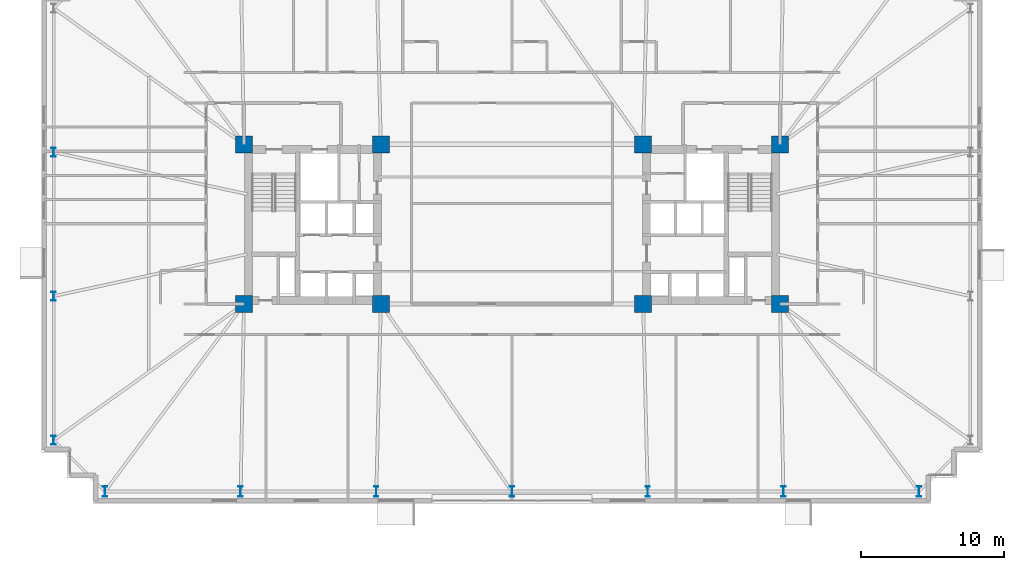
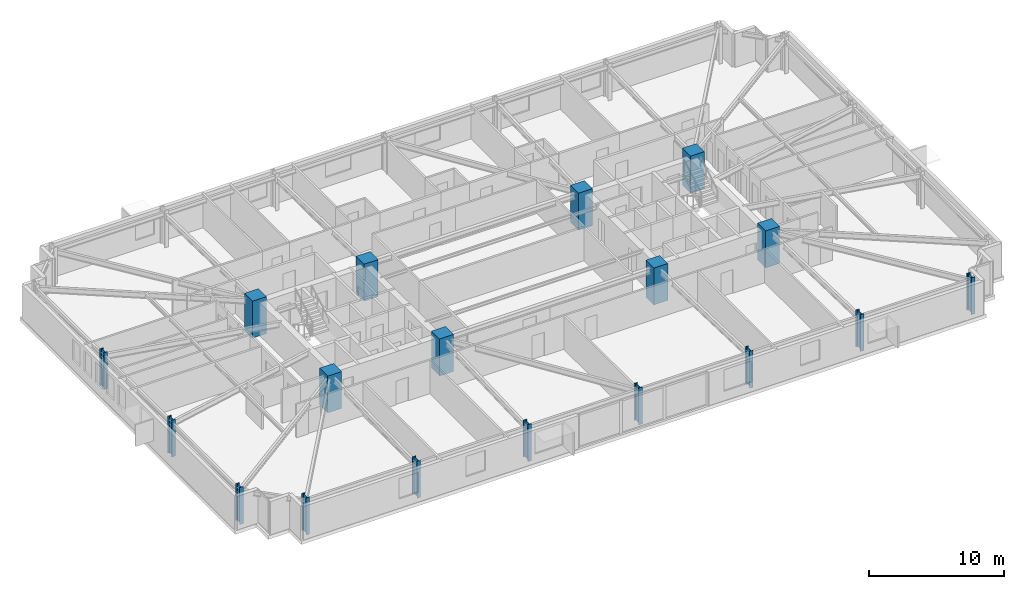
# One storey, part 1 of 24: 18 columns.
"""IFC4 building model written with IfcOpenShell, lengths in metres."""

from ifc_helpers import new_model, si_unit, direction, frame, origin, origin_2d, place, context, subcontext, project, spatial, rectangle, i_section, extrude, material, material_profile, profile_set, type_object, element, save


model = new_model("IFC4")

# Units and contexts
model_context = context("Model", 3, precision=1e-05, world=origin(), true_north=direction((0.0, 1.0)))
body_context = subcontext(model_context, "Body", "Model", "MODEL_VIEW")
ifc_project = project(units=[si_unit("LENGTHUNIT", "METRE"), si_unit("AREAUNIT", "SQUARE_METRE"), si_unit("VOLUMEUNIT", "CUBIC_METRE"), si_unit("PLANEANGLEUNIT", "RADIAN"), si_unit("MASSUNIT", "GRAM", prefix="KILO")], contexts=[model_context])

# Site, building, storey
site_placement = place(None, origin())
site = spatial("IfcSite", under=ifc_project, at=site_placement, CompositionType="ELEMENT")
building_placement = place(site_placement, origin())
building = spatial("IfcBuilding", under=site, at=building_placement, Name="Qobustan Lattice House", CompositionType="ELEMENT")
storey_placement = place(building_placement, frame((0.0, 0.0, 50.449951171875)))
storey = spatial("IfcBuildingStorey", under=building, at=storey_placement, Name="L13", CompositionType="ELEMENT", Elevation=50.449951171875)

# Columns
ifc_material_1 = material(Name="Concrete C60/75", Category="concrete")
ifc_material_profile_1 = material_profile(ifc_material_1, rectangle(XDim=1.199951171875, YDim=1.199951171875, at=origin_2d()), Name="RC1200x1200")
ifc_profile_set_1 = profile_set([ifc_material_profile_1], Name="Concrete C60/75")
column_type_1 = type_object("IfcColumnType", Name="COL-RC-1200", PredefinedType="COLUMN", material=ifc_profile_set_1)
for number, where, z_axis, x_axis, name in (
    (1, (-18.800048828125, -5.60009765625, 0.0), (0.0, 0.0, 1.0), (1.0, 0.0, 0.0), "L13 core mega-column CW-SW"),
    (2, (-18.800048828125, 5.60009765625, 0.0), (0.0, 0.0, 1.0), (1.0, 0.0, 0.0), "L13 core mega-column CW-NW"),
    (3, (-9.199951171875, -5.60009765625, 0.0), (0.0, 0.0, 1.0), (1.0, 0.0, 0.0), "L13 core mega-column CW-SE"),
    (4, (-9.199951171875, 5.60009765625, 0.0), (0.0, 0.0, 1.0), (1.0, 0.0, 0.0), "L13 core mega-column CW-NE"),
    (5, (9.199951171875, -5.60009765625, 0.0), (0.0, 0.0, 1.0), (1.0, 0.0, 0.0), "L13 core mega-column CE-SW"),
    (6, (9.199951171875, 5.60009765625, 0.0), (0.0, 0.0, 1.0), (1.0, 0.0, 0.0), "L13 core mega-column CE-NW"),
    (7, (18.800048828125, -5.60009765625, 0.0), (0.0, 0.0, 1.0), (1.0, 0.0, 0.0), "L13 core mega-column CE-SE"),
    (8, (18.800048828125, 5.60009765625, 0.0), (0.0, 0.0, 1.0), (1.0, 0.0, 0.0), "L13 core mega-column CE-NE"),
):
    element("IfcColumn", number, at=place(storey_placement, frame(where, z_axis=z_axis, x_axis=x_axis)), inside=storey, type_object=column_type_1, Name=name, PredefinedType="COLUMN", context=body_context, shape_type="SweptSolid", body=[
        extrude(rectangle(XDim=1.199951171875, YDim=1.199951171875, at=origin_2d()), origin(), (0.0, 0.0, 1.0), 3.35009765625),
    ])
ifc_material_2 = material(Name="Steel S460", Category="steel")
ifc_material_profile_2 = material_profile(ifc_material_2, i_section(OverallWidth=0.304931640625, OverallDepth=0.6201171875, WebThickness=0.02099609375, FlangeThickness=0.0400390625, FilletRadius=0.027099609375, at=origin_2d()), Name="HEM600")
ifc_profile_set_2 = profile_set([ifc_material_profile_2], Name="Steel S460")
column_type_2 = type_object("IfcColumnType", Name="COL-ST-HEM600", PredefinedType="COLUMN", material=ifc_profile_set_2)
for number, where, z_axis, x_axis, name in (
    (9, (-32.14990234375, 5.050048828125, 0.0), (0.0, 0.0, 1.0), (1.0, 0.0, 0.0), "L13 B1 perimeter column W2"),
    (10, (-32.14990234375, -5.050048828125, 0.0), (0.0, 0.0, 1.0), (1.0, 0.0, 0.0), "L13 B1 perimeter column W3"),
    (11, (-32.14990234375, -15.14990234375, 0.0), (0.0, 0.0, 1.0), (1.0, 0.0, 0.0), "L13 B1 perimeter column W4"),
):
    element("IfcColumn", number, at=place(storey_placement, frame(where, z_axis=z_axis, x_axis=x_axis)), inside=storey, type_object=column_type_2, Name=name, PredefinedType="COLUMN", context=body_context, shape_type="SweptSolid", body=[
        extrude(i_section(OverallWidth=0.304931640625, OverallDepth=0.6201171875, WebThickness=0.02099609375, FlangeThickness=0.0400390625, FilletRadius=0.027099609375, at=origin_2d()), origin(), (0.0, 0.0, 1.0), 3.35009765625),
    ])
ifc_material_3 = material(Name="Steel S460", Category="steel")
ifc_material_profile_3 = material_profile(ifc_material_3, i_section(OverallWidth=0.303955078125, OverallDepth=0.716064453125, WebThickness=0.02099609375, FlangeThickness=0.0400390625, FilletRadius=0.027099609375, at=origin_2d()), Name="HEM700")
ifc_profile_set_3 = profile_set([ifc_material_profile_3], Name="Steel S460")
column_type_3 = type_object("IfcColumnType", Name="COL-ST-HEM700", PredefinedType="COLUMN", material=ifc_profile_set_3)
for number, where, z_axis, x_axis, name in (
    (12, (-28.550048828125, -18.75, 0.0), (0.0, 0.0, 1.0), (1.0, 0.0, 0.0), "L13 B1 perimeter column S1"),
    (13, (-19.033203125, -18.75, 0.0), (0.0, 0.0, 1.0), (1.0, 0.0, 0.0), "L13 B1 perimeter column S2"),
    (14, (-9.5166015625, -18.75, 0.0), (0.0, 0.0, 1.0), (1.0, 0.0, 0.0), "L13 B1 perimeter column S3"),
    (15, (0.0, -18.75, 0.0), (0.0, 0.0, 1.0), (1.0, 0.0, 0.0), "L13 B1 perimeter column S4"),
    (16, (9.5166015625, -18.75, 0.0), (0.0, 0.0, 1.0), (1.0, 0.0, 0.0), "L13 B1 perimeter column S5"),
    (17, (19.033203125, -18.75, 0.0), (0.0, 0.0, 1.0), (1.0, 0.0, 0.0), "L13 B1 perimeter column S6"),
    (18, (28.550048828125, -18.75, 0.0), (0.0, 0.0, 1.0), (1.0, 0.0, 0.0), "L13 B1 perimeter column S7"),
):
    element("IfcColumn", number, at=place(storey_placement, frame(where, z_axis=z_axis, x_axis=x_axis)), inside=storey, type_object=column_type_3, Name=name, PredefinedType="COLUMN", context=body_context, shape_type="SweptSolid", body=[
        extrude(i_section(OverallWidth=0.303955078125, OverallDepth=0.716064453125, WebThickness=0.02099609375, FlangeThickness=0.0400390625, FilletRadius=0.027099609375, at=origin_2d()), origin(), (0.0, 0.0, 1.0), 3.35009765625),
    ])

save(model, "model.ifc")
